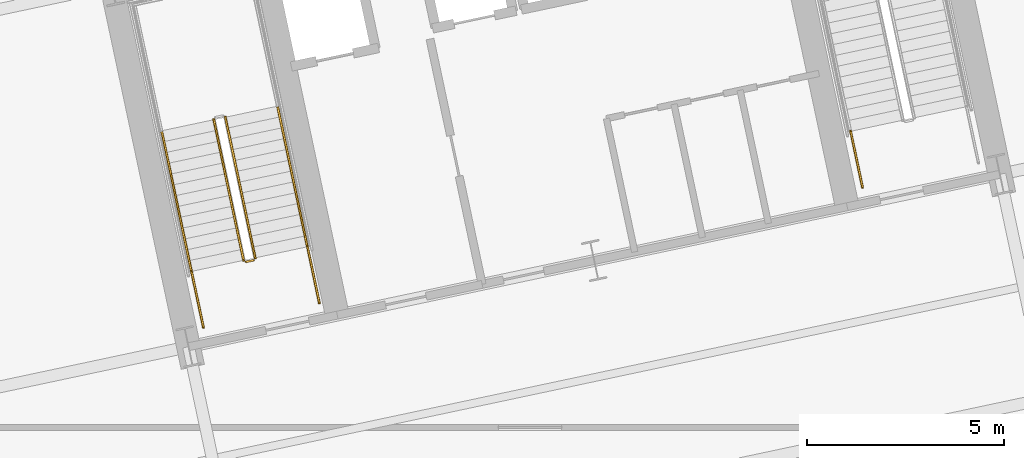
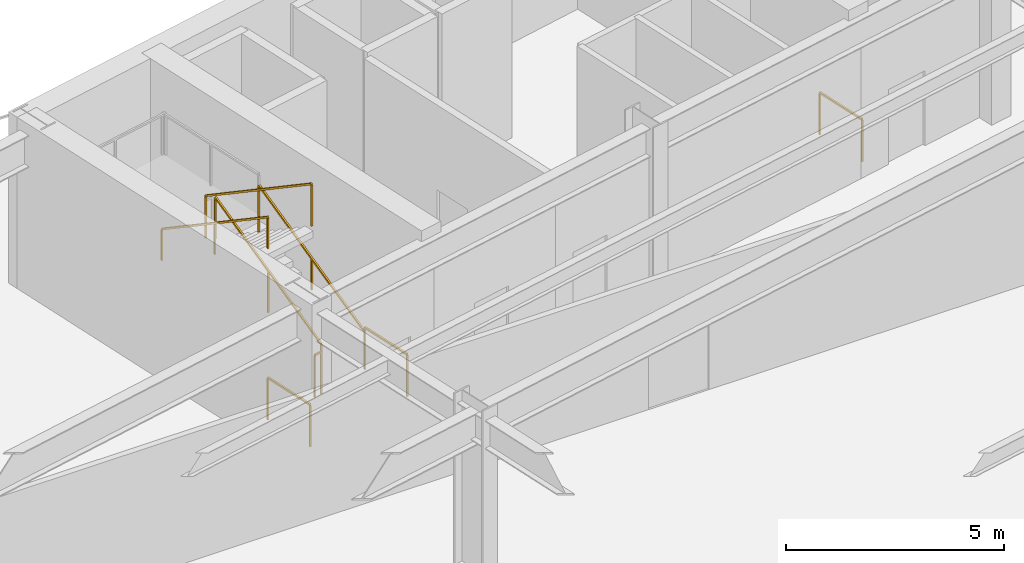
# One storey, part 25 of 28: 8 railings.
"""IFC4 building model written with IfcOpenShell, lengths in metres."""

from ifc_helpers import new_model, si_unit, direction, frame, origin, origin_2d, place, context, subcontext, project, spatial, rectangle, extrude, material, type_object, element, save


model = new_model("IFC4")

# Units and contexts
model_context = context("Model", 3, precision=1e-05, world=origin(), true_north=direction((0.0, 1.0)))
body_context = subcontext(model_context, "Body", "Model", "MODEL_VIEW")
ifc_project = project(units=[si_unit("LENGTHUNIT", "METRE"), si_unit("AREAUNIT", "SQUARE_METRE"), si_unit("VOLUMEUNIT", "CUBIC_METRE"), si_unit("PLANEANGLEUNIT", "RADIAN"), si_unit("MASSUNIT", "GRAM", prefix="KILO")], contexts=[model_context])

# Site, building, storey
site_placement = place(None, origin())
site = spatial("IfcSite", under=ifc_project, at=site_placement, CompositionType="ELEMENT")
building_placement = place(site_placement, origin())
building = spatial("IfcBuilding", under=site, at=building_placement, Name="Haevon Station Towers", CompositionType="ELEMENT")
storey_placement = place(building_placement, frame((0.0, 0.0, 10.800048828125)))
storey = spatial("IfcBuildingStorey", under=building, at=storey_placement, Name="L02", CompositionType="ELEMENT", Elevation=10.800048828125)

# Railings
ifc_material = material(Name="Steel S355", Category="steel")
railing_type_1 = type_object("IfcRailingType", Name="GRD-STR1200", PredefinedType="GUARDRAIL", material=ifc_material)
railing_1_placement = place(storey_placement, frame((100.44140625, 39.69287109375, 0.17138671875)))
element("IfcRailing", 1, at=railing_1_placement, inside=storey, type_object=railing_type_1, Name="L02 ST3 Stair Guard 1", PredefinedType="GUARDRAIL", context=body_context, shape_type="SweptSolid", body=[
    extrude(rectangle(XDim=0.048095703125, YDim=0.048095703125, at=origin_2d()), frame((0.0, 0.0, 1.17578125), z_axis=(-0.17733280689, 0.834207846092, 0.522159310096), x_axis=(-0.978143676638, -0.20793015138, 0.0)), (0.0, 0.0, 1.0), 4.267822265625),
    extrude(rectangle(XDim=0.0419921875, YDim=0.0419921875, at=origin_2d()), origin(), (0.0, 0.0, 1.0), 1.15185546875),
    extrude(rectangle(XDim=0.0419921875, YDim=0.0419921875, at=origin_2d()), frame((-0.37841796875, 1.7802734375, 1.1142578125)), (0.0, 0.0, 1.0), 1.15185546875),
    extrude(rectangle(XDim=0.0419921875, YDim=0.0419921875, at=origin_2d()), frame((-0.7568359375, 3.560302734375, 2.228515625)), (0.0, 0.0, 1.0), 1.15185546875),
])
railing_2_placement = place(storey_placement, frame((99.39111328125, 43.19091796875, 2.5712890625)))
element("IfcRailing", 2, at=railing_2_placement, inside=storey, type_object=railing_type_1, Name="L02 ST3 Stair Guard 6", PredefinedType="GUARDRAIL", context=body_context, shape_type="SweptSolid", body=[
    extrude(rectangle(XDim=0.048095703125, YDim=0.048095703125, at=origin_2d()), frame((0.0, 0.0, 1.17578125), z_axis=(0.177319048694, -0.834200324564, 0.522175998556), x_axis=(0.978146576304, 0.207916510322, 0.0)), (0.0, 0.0, 1.0), 4.268310546875),
    extrude(rectangle(XDim=0.0419921875, YDim=0.0419921875, at=origin_2d()), origin(), (0.0, 0.0, 1.0), 1.15185546875),
    extrude(rectangle(XDim=0.0419921875, YDim=0.0419921875, at=origin_2d()), frame((0.37841796875, -1.7802734375, 1.1142578125)), (0.0, 0.0, 1.0), 1.15185546875),
    extrude(rectangle(XDim=0.0419921875, YDim=0.0419921875, at=origin_2d()), frame((0.7568359375, -3.560546875, 2.228759765625)), (0.0, 0.0, 1.0), 1.15185546875),
])
railing_3_placement = place(storey_placement, frame((100.40283203125, 39.633544921875, 0.0)))
element("IfcRailing", 3, at=railing_3_placement, inside=storey, type_object=railing_type_1, Name="L02 ST3 Stair Guard 7", PredefinedType="GUARDRAIL", context=body_context, shape_type="SweptSolid", body=[
    extrude(rectangle(XDim=0.048095703125, YDim=0.048095703125, at=origin_2d()), frame((0.0, 0.0, 1.17578125), z_axis=(-0.977962931203, -0.208778603291, 0.0), x_axis=(0.208778603291, -0.977962931203, 0.0)), (0.0, 0.0, 1.0), 0.199951171875),
    extrude(rectangle(XDim=0.0419921875, YDim=0.0419921875, at=origin_2d()), origin(), (0.0, 0.0, 1.0), 1.15185546875),
    extrude(rectangle(XDim=0.0419921875, YDim=0.0419921875, at=origin_2d()), frame((-0.195556640625, -0.041748046875, 0.0)), (0.0, 0.0, 1.0), 1.15185546875),
])
for number, where, name in (
    (4, (102.0634765625, 38.55517578125, 0.0), "L02 ST3 Stair Guard 8"),
    (5, (99.12890625, 37.931396484375, 0.0), "L02 ST3 Stair Guard 9"),
):
    element("IfcRailing", number, at=place(storey_placement, frame(where)), inside=storey, type_object=railing_type_1, Name=name, PredefinedType="GUARDRAIL", context=body_context, shape_type="SweptSolid", body=[
        extrude(rectangle(XDim=0.048095703125, YDim=0.048095703125, at=origin_2d()), frame((0.0, 0.0, 1.17578125), z_axis=(-0.207953405961, 0.978138732977, 0.0), x_axis=(-0.978138732977, -0.207953405961, 0.0)), (0.0, 0.0, 1.0), 1.449951171875),
        extrude(rectangle(XDim=0.0419921875, YDim=0.0419921875, at=origin_2d()), origin(), (0.0, 0.0, 1.0), 1.15185546875),
        extrude(rectangle(XDim=0.0419921875, YDim=0.0419921875, at=origin_2d()), frame((-0.301513671875, 1.418212890625, 0.0)), (0.0, 0.0, 1.0), 1.15185546875),
    ])
railing_4_placement = place(storey_placement, frame((115.816162109375, 41.478271484375, 0.0)))
element("IfcRailing", 6, at=railing_4_placement, inside=storey, type_object=railing_type_1, Name="L02 ST4 Stair Guard 9", PredefinedType="GUARDRAIL", context=body_context, shape_type="SweptSolid", body=[
    extrude(rectangle(XDim=0.048095703125, YDim=0.048095703125, at=origin_2d()), frame((0.0, 0.0, 1.17578125), z_axis=(-0.207919161079, 0.978146012851, 0.0), x_axis=(-0.978146012851, -0.207919161079, 0.0)), (0.0, 0.0, 1.0), 1.4501953125),
    extrude(rectangle(XDim=0.0419921875, YDim=0.0419921875, at=origin_2d()), origin(), (0.0, 0.0, 1.0), 1.15185546875),
    extrude(rectangle(XDim=0.0419921875, YDim=0.0419921875, at=origin_2d()), frame((-0.301513671875, 1.41845703125, 0.0)), (0.0, 0.0, 1.0), 1.15185546875),
])
railing_type_2 = type_object("IfcRailingType", Name="HND-STR900", PredefinedType="HANDRAIL", material=ifc_material)
railing_5_placement = place(storey_placement, frame((101.761962890625, 39.973388671875, 0.17138671875)))
element("IfcRailing", 7, at=railing_5_placement, inside=storey, type_object=railing_type_2, Name="L02 ST3 Stair Handrail 1", PredefinedType="HANDRAIL", context=body_context, shape_type="SweptSolid", body=[
    extrude(rectangle(XDim=0.048095703125, YDim=0.048095703125, at=origin_2d()), frame((0.0, 0.0, 0.8759765625), z_axis=(-0.177324344861, 0.834225240467, 0.522134393512), x_axis=(-0.978146576304, -0.207916510322, 0.0)), (0.0, 0.0, 1.0), 4.26806640625),
    extrude(rectangle(XDim=0.0419921875, YDim=0.0419921875, at=origin_2d()), origin(), (0.0, 0.0, 1.0), 0.851806640625),
    extrude(rectangle(XDim=0.0419921875, YDim=0.0419921875, at=origin_2d()), frame((-0.37841796875, 1.7802734375, 1.1142578125)), (0.0, 0.0, 1.0), 0.851806640625),
    extrude(rectangle(XDim=0.0419921875, YDim=0.0419921875, at=origin_2d()), frame((-0.7568359375, 3.560546875, 2.228515625)), (0.0, 0.0, 1.0), 0.851806640625),
])
railing_6_placement = place(storey_placement, frame((98.070556640625, 42.91015625, 2.5712890625)))
element("IfcRailing", 8, at=railing_6_placement, inside=storey, type_object=railing_type_2, Name="L02 ST3 Stair Handrail 2", PredefinedType="HANDRAIL", context=body_context, shape_type="SweptSolid", body=[
    extrude(rectangle(XDim=0.048095703125, YDim=0.048095703125, at=origin_2d()), frame((0.0, 0.0, 0.8759765625), z_axis=(0.177319048694, -0.834200324564, 0.522175998556), x_axis=(0.978146576304, 0.207916510322, 0.0)), (0.0, 0.0, 1.0), 4.268310546875),
    extrude(rectangle(XDim=0.0419921875, YDim=0.0419921875, at=origin_2d()), origin(), (0.0, 0.0, 1.0), 0.851806640625),
    extrude(rectangle(XDim=0.0419921875, YDim=0.0419921875, at=origin_2d()), frame((0.37841796875, -1.7802734375, 1.1142578125)), (0.0, 0.0, 1.0), 0.851806640625),
    extrude(rectangle(XDim=0.0419921875, YDim=0.0419921875, at=origin_2d()), frame((0.7568359375, -3.560546875, 2.228759765625)), (0.0, 0.0, 1.0), 0.851806640625),
])

save(model, "model.ifc")
